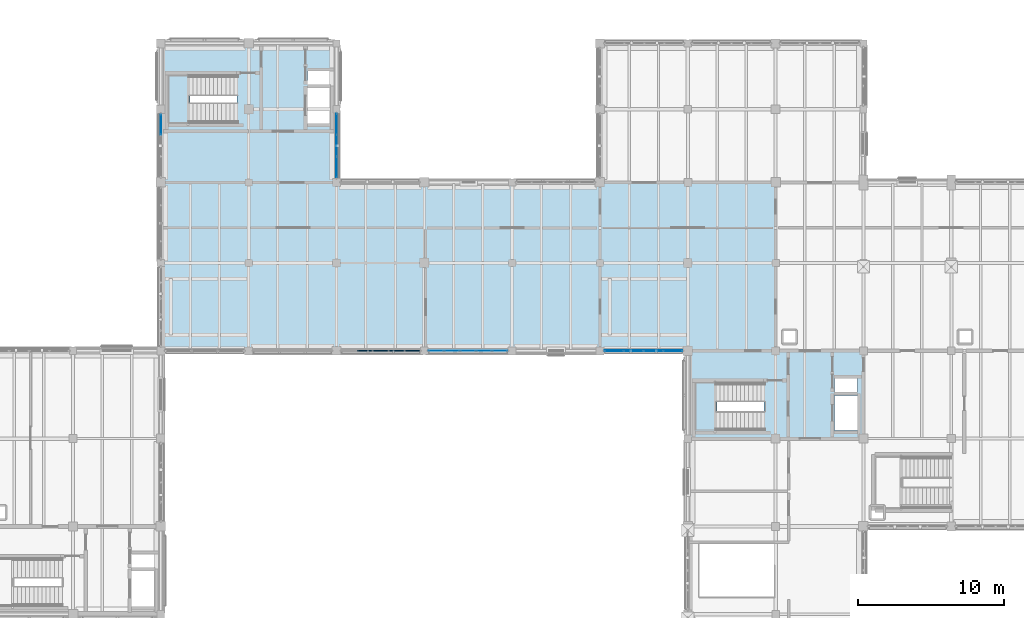
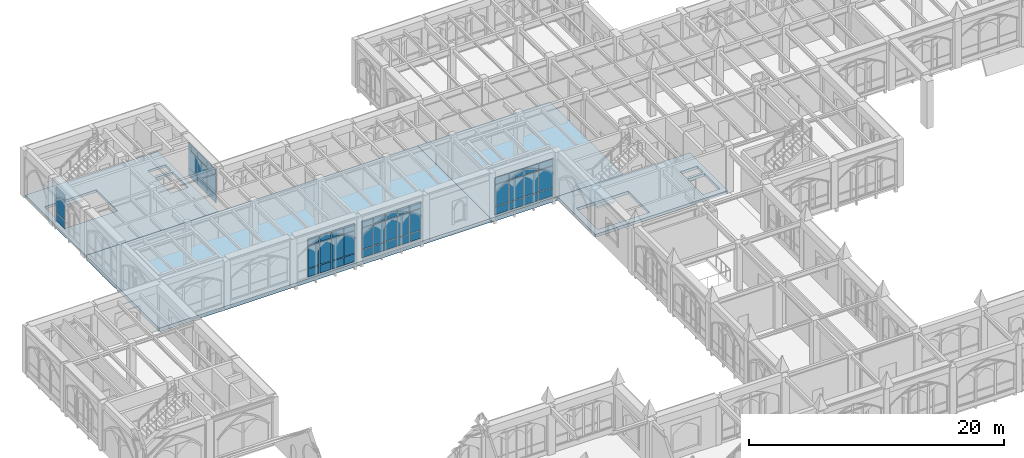
# One storey, part 89 of 143: 51 plates, 6 slabs, 7 elements without a shape of their own.
"""IFC4 building model written with IfcOpenShell, lengths in metres."""

from ifc_helpers import new_model, si_unit, direction, frame, origin, origin_2d, place, context, subcontext, project, spatial, polyline, rectangle, outline, extrude, material, layer, layer_set, type_object, element, aggregate, save


model = new_model("IFC4")

# Units and contexts
model_context = context("Model", 3, precision=1e-05, world=origin(), true_north=direction((0.0, 1.0)))
body_context = subcontext(model_context, "Body", "Model", "MODEL_VIEW")
ifc_project = project(units=[si_unit("LENGTHUNIT", "METRE"), si_unit("AREAUNIT", "SQUARE_METRE"), si_unit("VOLUMEUNIT", "CUBIC_METRE"), si_unit("PLANEANGLEUNIT", "RADIAN"), si_unit("MASSUNIT", "GRAM", prefix="KILO")], contexts=[model_context])

# Site, building, storey
site_placement = place(None, origin())
site = spatial("IfcSite", under=ifc_project, at=site_placement, CompositionType="ELEMENT")
building_placement = place(site_placement, origin())
building = spatial("IfcBuilding", under=site, at=building_placement, Name="Cumevento Cable Car Station", CompositionType="ELEMENT")
storey_placement = place(building_placement, frame((0.0, 0.0, 9.0)))
storey = spatial("IfcBuildingStorey", under=building, at=storey_placement, Name="L03", CompositionType="ELEMENT", Elevation=9.0)

# Slabs
ifc_material_1 = material(Name="Concrete C40/50", Category="concrete")
ifc_layer_1 = layer(ifc_material_1, 0.35009765625)
ifc_layer_set_1 = layer_set([ifc_layer_1], Name="Concrete C40/50")
slab_type_1 = type_object("IfcSlabType", Name="Concrete Deck BS-350 350", PredefinedType="BASESLAB", material=ifc_layer_set_1)
slab_1_placement = place(storey_placement, frame((0.0, 0.0, -0.35009765625)))
element("IfcSlab", 1, at=slab_1_placement, inside=storey, type_object=slab_type_1, Name="Base Slab BS-350 L03 B_V6c.1", PredefinedType="BASESLAB", context=body_context, shape_type="SweptSolid", body=[
    extrude(outline(polyline([(22.0, 45.0), (52.0, 45.0), (52.0, 56.5), (22.0, 56.5), (22.0, 45.0)])), origin(), (0.0, 0.0, 1.0), 0.35009765625),
])
ifc_material_2 = material(Name="Concrete C40/50", Category="concrete")
ifc_layer_2 = layer(ifc_material_2, 0.389892578125)
ifc_layer_set_2 = layer_set([ifc_layer_2], Name="Concrete C40/50")
slab_type_2 = type_object("IfcSlabType", Name="Concrete Deck BS-390 390", PredefinedType="BASESLAB", material=ifc_layer_set_2)
slab_2_placement = place(storey_placement, frame((0.0, 0.0, -0.389892578125)))
element("IfcSlab", 2, at=slab_2_placement, inside=storey, type_object=slab_type_2, Name="Base Slab BS-390 L03 B_V3d.1", PredefinedType="BASESLAB", context=body_context, shape_type="SweptSolid", body=[
    extrude(outline(polyline([(52.0, 45.0), (64.0, 45.0), (64.0, 56.5), (52.0, 56.5), (52.0, 45.0)])), origin(), (0.0, 0.0, 1.0), 0.389892578125),
])
ifc_material_3 = material(Name="Concrete C40/50", Category="concrete")
ifc_layer_3 = layer(ifc_material_3, 0.22412109375)
ifc_layer_set_3 = layer_set([ifc_layer_3], Name="Concrete C40/50")
slab_type_3 = type_object("IfcSlabType", Name="Concrete Deck FS-224 224", PredefinedType="FLOOR", material=ifc_layer_set_3)
slab_3_placement = place(storey_placement, frame((0.0, 0.0, -0.22412109375)))
element("IfcSlab", 3, at=slab_3_placement, inside=storey, type_object=slab_type_3, Name="Floor Slab FS-224 L03 B_V6d.1", PredefinedType="FLOOR", context=body_context, shape_type="SweptSolid", body=[
    extrude(outline(polyline([(22.0, 56.5), (34.0, 56.5), (34.0, 66.0), (22.0, 66.0), (22.0, 56.5)]), holes=[polyline([(32.010009765625, 60.5400390625), (33.580078125, 60.5400390625), (33.580078125, 62.9599609375), (32.010009765625, 62.9599609375), (32.010009765625, 60.5400390625)]), polyline([(22.52001953125, 60.52001953125), (27.199951171875, 60.52001953125), (27.199951171875, 63.85009765625), (22.52001953125, 63.85009765625), (22.52001953125, 60.52001953125)]), polyline([(32.010009765625, 63.199951171875), (33.580078125, 63.199951171875), (33.580078125, 64.10009765625), (32.010009765625, 64.10009765625), (32.010009765625, 63.199951171875)])]), origin(), (0.0, 0.0, 1.0), 0.22412109375),
])
ifc_material_4 = material(Name="Concrete C40/50", Category="concrete")
ifc_layer_4 = layer(ifc_material_4, 0.27197265625)
ifc_layer_set_4 = layer_set([ifc_layer_4], Name="Concrete C40/50")
slab_type_4 = type_object("IfcSlabType", Name="Concrete Deck FS-272 272", PredefinedType="FLOOR", material=ifc_layer_set_4)
slab_4_placement = place(storey_placement, frame((0.0, 0.0, -0.27197265625)))
element("IfcSlab", 4, at=slab_4_placement, inside=storey, type_object=slab_type_4, Name="Floor Slab FS-272 L03 B_V2c.1", PredefinedType="FLOOR", context=body_context, shape_type="SweptSolid", body=[
    extrude(outline(polyline([(58.0, 39.0), (70.0, 39.0), (70.0, 45.0), (58.0, 45.0), (58.0, 39.0)]), holes=[polyline([(68.010009765625, 39.5400390625), (69.580078125, 39.5400390625), (69.580078125, 41.9599609375), (68.010009765625, 41.9599609375), (68.010009765625, 39.5400390625)]), polyline([(58.52001953125, 39.52001953125), (63.199951171875, 39.52001953125), (63.199951171875, 42.85009765625), (58.52001953125, 42.85009765625), (58.52001953125, 39.52001953125)]), polyline([(68.010009765625, 42.199951171875), (69.580078125, 42.199951171875), (69.580078125, 43.10009765625), (68.010009765625, 43.10009765625), (68.010009765625, 42.199951171875)])]), origin(), (0.0, 0.0, 1.0), 0.27197265625),
])

# Curtain wall, plates
ifc_material_5 = material(Name="Anodised Bronze Aluminium AW-6063-T6", Category="aluminium")
ifc_layer_5 = layer(ifc_material_5, 0.172119140625)
ifc_layer_set_5 = layer_set([ifc_layer_5], Name="Anodised Bronze Aluminium AW-6063-T6")
curtain_wall_type_1 = type_object("IfcCurtainWallType", Name="Lancet Curtain Wall CW-03 1130", PredefinedType="NOTDEFINED", material=ifc_layer_set_5)
curtain_wall_1_placement = place(storey_placement, origin())
curtain_wall_1 = element("IfcCurtainWall", 5, at=curtain_wall_1_placement, inside=storey, type_object=curtain_wall_type_1, Name="Lancet Curtain Wall CW-03 L03 #98", PredefinedType="NOTDEFINED")
ifc_material_6 = material(Name="Solar Control Laminated Double Glazing", Category="glass")
ifc_layer_6 = layer(ifc_material_6, 0.02197265625)
ifc_layer_set_6 = layer_set([ifc_layer_6], Name="Solar Control Laminated Double Glazing")
plate_type_1 = type_object("IfcPlateType", Name="Glazed Panel CWP-01 22", PredefinedType="CURTAIN_PANEL", material=ifc_layer_set_6)
plate_1_placement = place(storey_placement, frame((45.1611328125, 45.0, 0.324951171875), z_axis=(0.0, 0.0, 1.0), x_axis=(-1.0, 0.0, 0.0)))
plate_1 = element("IfcPlate", 6, at=plate_1_placement, type_object=plate_type_1, Name="CW-03 panel 1.1", PredefinedType="CURTAIN_PANEL", context=body_context, shape_type="SweptSolid", body=[
    extrude(rectangle(XDim=0.99755859375, YDim=0.02197265625, at=origin_2d()), origin(), (0.0, 0.0, 1.0), 0.75244140625),
])
plate_2_placement = place(storey_placement, frame((45.1611328125, 45.0, 1.142578125), z_axis=(0.0, 0.0, 1.0), x_axis=(-1.0, 0.0, 0.0)))
plate_2 = element("IfcPlate", 7, at=plate_2_placement, type_object=plate_type_1, Name="CW-03 panel 1.2", PredefinedType="CURTAIN_PANEL", context=body_context, shape_type="SweptSolid", body=[
    extrude(rectangle(XDim=0.99755859375, YDim=0.02197265625, at=origin_2d()), origin(), (0.0, 0.0, 1.0), 2.01806640625),
])
plate_3_placement = place(storey_placement, frame((45.1611328125, 45.0, 3.2255859375), z_axis=(0.0, 0.0, 1.0), x_axis=(-1.0, 0.0, 0.0)))
plate_3 = element("IfcPlate", 8, at=plate_3_placement, type_object=plate_type_1, Name="CW-03 panel 1.3", PredefinedType="CURTAIN_PANEL", context=body_context, shape_type="SweptSolid", body=[
    extrude(rectangle(XDim=0.99755859375, YDim=0.02197265625, at=origin_2d()), origin(), (0.0, 0.0, 1.0), 0.6025390625),
])
plate_4_placement = place(storey_placement, frame((44.08251953125, 45.0, 0.324951171875), z_axis=(0.0, 0.0, 1.0), x_axis=(-1.0, 0.0, 0.0)))
plate_4 = element("IfcPlate", 9, at=plate_4_placement, type_object=plate_type_1, Name="CW-03 panel 2.1", PredefinedType="CURTAIN_PANEL", context=body_context, shape_type="SweptSolid", body=[
    extrude(rectangle(XDim=1.030029296875, YDim=0.02197265625, at=origin_2d()), origin(), (0.0, 0.0, 1.0), 0.75244140625),
])
plate_5_placement = place(storey_placement, frame((44.08251953125, 45.0, 1.142578125), z_axis=(0.0, 0.0, 1.0), x_axis=(-1.0, 0.0, 0.0)))
plate_5 = element("IfcPlate", 10, at=plate_5_placement, type_object=plate_type_1, Name="CW-03 panel 2.2", PredefinedType="CURTAIN_PANEL", context=body_context, shape_type="SweptSolid", body=[
    extrude(rectangle(XDim=1.030029296875, YDim=0.02197265625, at=origin_2d()), origin(), (0.0, 0.0, 1.0), 2.01806640625),
])
plate_6_placement = place(storey_placement, frame((44.08251953125, 45.0, 3.2255859375), z_axis=(0.0, 0.0, 1.0), x_axis=(-1.0, 0.0, 0.0)))
plate_6 = element("IfcPlate", 11, at=plate_6_placement, type_object=plate_type_1, Name="CW-03 panel 2.3", PredefinedType="CURTAIN_PANEL", context=body_context, shape_type="SweptSolid", body=[
    extrude(rectangle(XDim=1.030029296875, YDim=0.02197265625, at=origin_2d()), origin(), (0.0, 0.0, 1.0), 0.6025390625),
])
plate_7_placement = place(storey_placement, frame((42.987548828125, 45.0, 0.324951171875), z_axis=(0.0, 0.0, 1.0), x_axis=(-1.0, 0.0, 0.0)))
plate_7 = element("IfcPlate", 12, at=plate_7_placement, type_object=plate_type_1, Name="CW-03 panel 3.1", PredefinedType="CURTAIN_PANEL", context=body_context, shape_type="SweptSolid", body=[
    extrude(rectangle(XDim=1.030029296875, YDim=0.02197265625, at=origin_2d()), origin(), (0.0, 0.0, 1.0), 0.75244140625),
])
plate_8_placement = place(storey_placement, frame((42.987548828125, 45.0, 1.142578125), z_axis=(0.0, 0.0, 1.0), x_axis=(-1.0, 0.0, 0.0)))
plate_8 = element("IfcPlate", 13, at=plate_8_placement, type_object=plate_type_1, Name="CW-03 panel 3.2", PredefinedType="CURTAIN_PANEL", context=body_context, shape_type="SweptSolid", body=[
    extrude(rectangle(XDim=1.030029296875, YDim=0.02197265625, at=origin_2d()), origin(), (0.0, 0.0, 1.0), 2.01806640625),
])
plate_9_placement = place(storey_placement, frame((42.987548828125, 45.0, 3.2255859375), z_axis=(0.0, 0.0, 1.0), x_axis=(-1.0, 0.0, 0.0)))
plate_9 = element("IfcPlate", 14, at=plate_9_placement, type_object=plate_type_1, Name="CW-03 panel 3.3", PredefinedType="CURTAIN_PANEL", context=body_context, shape_type="SweptSolid", body=[
    extrude(rectangle(XDim=1.030029296875, YDim=0.02197265625, at=origin_2d()), origin(), (0.0, 0.0, 1.0), 0.6025390625),
])
plate_10_placement = place(storey_placement, frame((41.892578125, 45.0, 0.324951171875), z_axis=(0.0, 0.0, 1.0), x_axis=(-1.0, 0.0, 0.0)))
plate_10 = element("IfcPlate", 15, at=plate_10_placement, type_object=plate_type_1, Name="CW-03 panel 4.1", PredefinedType="CURTAIN_PANEL", context=body_context, shape_type="SweptSolid", body=[
    extrude(rectangle(XDim=1.030029296875, YDim=0.02197265625, at=origin_2d()), origin(), (0.0, 0.0, 1.0), 0.75244140625),
])
plate_11_placement = place(storey_placement, frame((41.892578125, 45.0, 1.142578125), z_axis=(0.0, 0.0, 1.0), x_axis=(-1.0, 0.0, 0.0)))
plate_11 = element("IfcPlate", 16, at=plate_11_placement, type_object=plate_type_1, Name="CW-03 panel 4.2", PredefinedType="CURTAIN_PANEL", context=body_context, shape_type="SweptSolid", body=[
    extrude(rectangle(XDim=1.030029296875, YDim=0.02197265625, at=origin_2d()), origin(), (0.0, 0.0, 1.0), 2.01806640625),
])
plate_12_placement = place(storey_placement, frame((41.892578125, 45.0, 3.2255859375), z_axis=(0.0, 0.0, 1.0), x_axis=(-1.0, 0.0, 0.0)))
plate_12 = element("IfcPlate", 17, at=plate_12_placement, type_object=plate_type_1, Name="CW-03 panel 4.3", PredefinedType="CURTAIN_PANEL", context=body_context, shape_type="SweptSolid", body=[
    extrude(rectangle(XDim=1.030029296875, YDim=0.02197265625, at=origin_2d()), origin(), (0.0, 0.0, 1.0), 0.6025390625),
])
plate_13_placement = place(storey_placement, frame((40.813720703125, 45.0, 0.324951171875), z_axis=(0.0, 0.0, 1.0), x_axis=(-1.0, 0.0, 0.0)))
plate_13 = element("IfcPlate", 18, at=plate_13_placement, type_object=plate_type_1, Name="CW-03 panel 5.1", PredefinedType="CURTAIN_PANEL", context=body_context, shape_type="SweptSolid", body=[
    extrude(rectangle(XDim=0.99755859375, YDim=0.02197265625, at=origin_2d()), origin(), (0.0, 0.0, 1.0), 0.75244140625),
])
plate_14_placement = place(storey_placement, frame((40.813720703125, 45.0, 1.142578125), z_axis=(0.0, 0.0, 1.0), x_axis=(-1.0, 0.0, 0.0)))
plate_14 = element("IfcPlate", 19, at=plate_14_placement, type_object=plate_type_1, Name="CW-03 panel 5.2", PredefinedType="CURTAIN_PANEL", context=body_context, shape_type="SweptSolid", body=[
    extrude(rectangle(XDim=0.99755859375, YDim=0.02197265625, at=origin_2d()), origin(), (0.0, 0.0, 1.0), 2.01806640625),
])
plate_15_placement = place(storey_placement, frame((40.813720703125, 45.0, 3.2255859375), z_axis=(0.0, 0.0, 1.0), x_axis=(-1.0, 0.0, 0.0)))
plate_15 = element("IfcPlate", 20, at=plate_15_placement, type_object=plate_type_1, Name="CW-03 panel 5.3", PredefinedType="CURTAIN_PANEL", context=body_context, shape_type="SweptSolid", body=[
    extrude(rectangle(XDim=0.99755859375, YDim=0.02197265625, at=origin_2d()), origin(), (0.0, 0.0, 1.0), 0.6025390625),
])
aggregate(curtain_wall_1, [plate_1, plate_2, plate_3, plate_4, plate_5, plate_6, plate_7, plate_8, plate_9, plate_10, plate_11, plate_12, plate_13, plate_14, plate_15])

ifc_material_7 = material(Name="Anodised Bronze Aluminium AW-6063-T6", Category="aluminium")
ifc_layer_7 = layer(ifc_material_7, 0.196044921875)
ifc_layer_set_7 = layer_set([ifc_layer_7], Name="Anodised Bronze Aluminium AW-6063-T6")
curtain_wall_type_2 = type_object("IfcCurtainWallType", Name="Lancet Curtain Wall CW-07 1290", PredefinedType="NOTDEFINED", material=ifc_layer_set_7)
curtain_wall_2_placement = place(storey_placement, origin())
curtain_wall_2 = element("IfcCurtainWall", 21, at=curtain_wall_2_placement, inside=storey, type_object=curtain_wall_type_2, Name="Lancet Curtain Wall CW-07 L03 #102", PredefinedType="NOTDEFINED")
ifc_material_8 = material(Name="Solar Control Laminated Double Glazing", Category="glass")
ifc_layer_8 = layer(ifc_material_8, 0.0380859375)
ifc_layer_set_8 = layer_set([ifc_layer_8], Name="Solar Control Laminated Double Glazing")
plate_type_2 = type_object("IfcPlateType", Name="Glazed Panel CWP-05 38", PredefinedType="CURTAIN_PANEL", material=ifc_layer_set_8)
plate_16_placement = place(storey_placement, frame((22.0, 60.45458984375, 0.525146484375), z_axis=(0.0, 0.0, 1.0), x_axis=(0.0, 1.0, 0.0)))
plate_16 = element("IfcPlate", 22, at=plate_16_placement, type_object=plate_type_2, Name="CW-07 panel 3.1", PredefinedType="CURTAIN_PANEL", context=body_context, shape_type="SweptSolid", body=[
    extrude(rectangle(XDim=1.36083984375, YDim=0.0380859375, at=origin_2d()), origin(), (0.0, 0.0, 1.0), 0.75244140625),
])
plate_17_placement = place(storey_placement, frame((22.0, 60.45458984375, 1.34228515625), z_axis=(0.0, 0.0, 1.0), x_axis=(0.0, 1.0, 0.0)))
plate_17 = element("IfcPlate", 23, at=plate_17_placement, type_object=plate_type_2, Name="CW-07 panel 3.2", PredefinedType="CURTAIN_PANEL", context=body_context, shape_type="SweptSolid", body=[
    extrude(rectangle(XDim=1.36083984375, YDim=0.0380859375, at=origin_2d()), origin(), (0.0, 0.0, 1.0), 1.781982421875),
])
plate_18_placement = place(storey_placement, frame((22.0, 60.45458984375, 3.189453125), z_axis=(0.0, 0.0, 1.0), x_axis=(0.0, 1.0, 0.0)))
plate_18 = element("IfcPlate", 24, at=plate_18_placement, type_object=plate_type_2, Name="CW-07 panel 3.3", PredefinedType="CURTAIN_PANEL", context=body_context, shape_type="SweptSolid", body=[
    extrude(rectangle(XDim=1.36083984375, YDim=0.0380859375, at=origin_2d()), origin(), (0.0, 0.0, 1.0), 0.6025390625),
])
aggregate(curtain_wall_2, [plate_16, plate_17, plate_18])

ifc_material_9 = material(Name="Anodised Bronze Aluminium AW-6063-T6", Category="aluminium")
ifc_layer_9 = layer(ifc_material_9, 0.201904296875)
ifc_layer_set_9 = layer_set([ifc_layer_9], Name="Anodised Bronze Aluminium AW-6063-T6")
curtain_wall_type_3 = type_object("IfcCurtainWallType", Name="Lancet Curtain Wall CW-08 1330", PredefinedType="NOTDEFINED", material=ifc_layer_set_9)
curtain_wall_3_placement = place(storey_placement, origin())
curtain_wall_3 = element("IfcCurtainWall", 25, at=curtain_wall_3_placement, inside=storey, type_object=curtain_wall_type_3, Name="Lancet Curtain Wall CW-08 L03 #103", PredefinedType="NOTDEFINED")
ifc_material_10 = material(Name="Solar Control Laminated Double Glazing", Category="glass")
ifc_layer_10 = layer(ifc_material_10, 0.0419921875)
ifc_layer_set_10 = layer_set([ifc_layer_10], Name="Solar Control Laminated Double Glazing")
plate_type_3 = type_object("IfcPlateType", Name="Glazed Panel CWP-06 42", PredefinedType="CURTAIN_PANEL", material=ifc_layer_set_10)
plate_19_placement = place(storey_placement, frame((34.0, 60.488037109375, 0.5849609375), z_axis=(0.0, 0.0, 1.0), x_axis=(0.0, -1.0, 0.0)))
plate_19 = element("IfcPlate", 26, at=plate_19_placement, type_object=plate_type_3, Name="CW-08 panel 1.1", PredefinedType="CURTAIN_PANEL", context=body_context, shape_type="SweptSolid", body=[
    extrude(rectangle(XDim=1.394287109375, YDim=0.0419921875, at=origin_2d()), origin(), (0.0, 0.0, 1.0), 0.75244140625),
])
plate_20_placement = place(storey_placement, frame((34.0, 60.488037109375, 1.40234375), z_axis=(0.0, 0.0, 1.0), x_axis=(0.0, -1.0, 0.0)))
plate_20 = element("IfcPlate", 27, at=plate_20_placement, type_object=plate_type_3, Name="CW-08 panel 1.2", PredefinedType="CURTAIN_PANEL", context=body_context, shape_type="SweptSolid", body=[
    extrude(rectangle(XDim=1.394287109375, YDim=0.0419921875, at=origin_2d()), origin(), (0.0, 0.0, 1.0), 1.721923828125),
])
plate_21_placement = place(storey_placement, frame((34.0, 60.488037109375, 3.189453125), z_axis=(0.0, 0.0, 1.0), x_axis=(0.0, -1.0, 0.0)))
plate_21 = element("IfcPlate", 28, at=plate_21_placement, type_object=plate_type_3, Name="CW-08 panel 1.3", PredefinedType="CURTAIN_PANEL", context=body_context, shape_type="SweptSolid", body=[
    extrude(rectangle(XDim=1.394287109375, YDim=0.0419921875, at=origin_2d()), origin(), (0.0, 0.0, 1.0), 0.6025390625),
])
plate_22_placement = place(storey_placement, frame((34.0, 59.012451171875, 0.5849609375), z_axis=(0.0, 0.0, 1.0), x_axis=(0.0, -1.0, 0.0)))
plate_22 = element("IfcPlate", 29, at=plate_22_placement, type_object=plate_type_3, Name="CW-08 panel 2.1", PredefinedType="CURTAIN_PANEL", context=body_context, shape_type="SweptSolid", body=[
    extrude(rectangle(XDim=1.4267578125, YDim=0.0419921875, at=origin_2d()), origin(), (0.0, 0.0, 1.0), 0.75244140625),
])
plate_23_placement = place(storey_placement, frame((34.0, 59.012451171875, 1.40234375), z_axis=(0.0, 0.0, 1.0), x_axis=(0.0, -1.0, 0.0)))
plate_23 = element("IfcPlate", 30, at=plate_23_placement, type_object=plate_type_3, Name="CW-08 panel 2.2", PredefinedType="CURTAIN_PANEL", context=body_context, shape_type="SweptSolid", body=[
    extrude(rectangle(XDim=1.4267578125, YDim=0.0419921875, at=origin_2d()), origin(), (0.0, 0.0, 1.0), 1.721923828125),
])
plate_24_placement = place(storey_placement, frame((34.0, 59.012451171875, 3.189453125), z_axis=(0.0, 0.0, 1.0), x_axis=(0.0, -1.0, 0.0)))
plate_24 = element("IfcPlate", 31, at=plate_24_placement, type_object=plate_type_3, Name="CW-08 panel 2.3", PredefinedType="CURTAIN_PANEL", context=body_context, shape_type="SweptSolid", body=[
    extrude(rectangle(XDim=1.4267578125, YDim=0.0419921875, at=origin_2d()), origin(), (0.0, 0.0, 1.0), 0.6025390625),
])
plate_25_placement = place(storey_placement, frame((34.0, 57.537109375, 0.5849609375), z_axis=(0.0, 0.0, 1.0), x_axis=(0.0, -1.0, 0.0)))
plate_25 = element("IfcPlate", 32, at=plate_25_placement, type_object=plate_type_3, Name="CW-08 panel 3.1", PredefinedType="CURTAIN_PANEL", context=body_context, shape_type="SweptSolid", body=[
    extrude(rectangle(XDim=1.394287109375, YDim=0.0419921875, at=origin_2d()), origin(), (0.0, 0.0, 1.0), 0.75244140625),
])
plate_26_placement = place(storey_placement, frame((34.0, 57.537109375, 1.40234375), z_axis=(0.0, 0.0, 1.0), x_axis=(0.0, -1.0, 0.0)))
plate_26 = element("IfcPlate", 33, at=plate_26_placement, type_object=plate_type_3, Name="CW-08 panel 3.2", PredefinedType="CURTAIN_PANEL", context=body_context, shape_type="SweptSolid", body=[
    extrude(rectangle(XDim=1.394287109375, YDim=0.0419921875, at=origin_2d()), origin(), (0.0, 0.0, 1.0), 1.721923828125),
])
plate_27_placement = place(storey_placement, frame((34.0, 57.537109375, 3.189453125), z_axis=(0.0, 0.0, 1.0), x_axis=(0.0, -1.0, 0.0)))
plate_27 = element("IfcPlate", 34, at=plate_27_placement, type_object=plate_type_3, Name="CW-08 panel 3.3", PredefinedType="CURTAIN_PANEL", context=body_context, shape_type="SweptSolid", body=[
    extrude(rectangle(XDim=1.394287109375, YDim=0.0419921875, at=origin_2d()), origin(), (0.0, 0.0, 1.0), 0.6025390625),
])
aggregate(curtain_wall_3, [plate_19, plate_20, plate_21, plate_22, plate_23, plate_24, plate_25, plate_26, plate_27])

ifc_material_11 = material(Name="Anodised Bronze Aluminium AW-6063-T6", Category="aluminium")
ifc_layer_11 = layer(ifc_material_11, 0.2080078125)
ifc_layer_set_11 = layer_set([ifc_layer_11], Name="Anodised Bronze Aluminium AW-6063-T6")
curtain_wall_type_4 = type_object("IfcCurtainWallType", Name="Lancet Curtain Wall CW-09 1370", PredefinedType="NOTDEFINED", material=ifc_layer_set_11)
curtain_wall_4_placement = place(storey_placement, origin())
curtain_wall_4 = element("IfcCurtainWall", 35, at=curtain_wall_4_placement, inside=storey, type_object=curtain_wall_type_4, Name="Lancet Curtain Wall CW-09 L03 #104", PredefinedType="NOTDEFINED")
ifc_material_12 = material(Name="Solar Control Laminated Double Glazing", Category="glass")
ifc_layer_12 = layer(ifc_material_12, 0.0458984375)
ifc_layer_set_12 = layer_set([ifc_layer_12], Name="Solar Control Laminated Double Glazing")
plate_type_4 = type_object("IfcPlateType", Name="Glazed Panel CWP-07 46", PredefinedType="CURTAIN_PANEL", material=ifc_layer_set_12)
plate_28_placement = place(storey_placement, frame((56.983642578125, 45.0, 0.22509765625), z_axis=(0.0, 0.0, 1.0), x_axis=(-1.0, 0.0, 0.0)))
plate_28 = element("IfcPlate", 36, at=plate_28_placement, type_object=plate_type_4, Name="CW-09 panel 1.1", PredefinedType="CURTAIN_PANEL", context=body_context, shape_type="SweptSolid", body=[
    extrude(rectangle(XDim=1.25244140625, YDim=0.0458984375, at=origin_2d()), origin(), (0.0, 0.0, 1.0), 0.75244140625),
])
plate_29_placement = place(storey_placement, frame((56.983642578125, 45.0, 1.04248046875), z_axis=(0.0, 0.0, 1.0), x_axis=(-1.0, 0.0, 0.0)))
plate_29 = element("IfcPlate", 37, at=plate_29_placement, type_object=plate_type_4, Name="CW-09 panel 1.2", PredefinedType="CURTAIN_PANEL", context=body_context, shape_type="SweptSolid", body=[
    extrude(rectangle(XDim=1.25244140625, YDim=0.0458984375, at=origin_2d()), origin(), (0.0, 0.0, 1.0), 2.033935546875),
])
plate_30_placement = place(storey_placement, frame((56.983642578125, 45.0, 3.1416015625), z_axis=(0.0, 0.0, 1.0), x_axis=(-1.0, 0.0, 0.0)))
plate_30 = element("IfcPlate", 38, at=plate_30_placement, type_object=plate_type_4, Name="CW-09 panel 1.3", PredefinedType="CURTAIN_PANEL", context=body_context, shape_type="SweptSolid", body=[
    extrude(rectangle(XDim=1.25244140625, YDim=0.0458984375, at=origin_2d()), origin(), (0.0, 0.0, 1.0), 0.6025390625),
])
plate_31_placement = place(storey_placement, frame((55.64990234375, 45.0, 0.22509765625), z_axis=(0.0, 0.0, 1.0), x_axis=(-1.0, 0.0, 0.0)))
plate_31 = element("IfcPlate", 39, at=plate_31_placement, type_object=plate_type_4, Name="CW-09 panel 2.1", PredefinedType="CURTAIN_PANEL", context=body_context, shape_type="SweptSolid", body=[
    extrude(rectangle(XDim=1.284912109375, YDim=0.0458984375, at=origin_2d()), origin(), (0.0, 0.0, 1.0), 0.75244140625),
])
plate_32_placement = place(storey_placement, frame((55.64990234375, 45.0, 1.04248046875), z_axis=(0.0, 0.0, 1.0), x_axis=(-1.0, 0.0, 0.0)))
plate_32 = element("IfcPlate", 40, at=plate_32_placement, type_object=plate_type_4, Name="CW-09 panel 2.2", PredefinedType="CURTAIN_PANEL", context=body_context, shape_type="SweptSolid", body=[
    extrude(rectangle(XDim=1.284912109375, YDim=0.0458984375, at=origin_2d()), origin(), (0.0, 0.0, 1.0), 2.033935546875),
])
plate_33_placement = place(storey_placement, frame((55.64990234375, 45.0, 3.1416015625), z_axis=(0.0, 0.0, 1.0), x_axis=(-1.0, 0.0, 0.0)))
plate_33 = element("IfcPlate", 41, at=plate_33_placement, type_object=plate_type_4, Name="CW-09 panel 2.3", PredefinedType="CURTAIN_PANEL", context=body_context, shape_type="SweptSolid", body=[
    extrude(rectangle(XDim=1.284912109375, YDim=0.0458984375, at=origin_2d()), origin(), (0.0, 0.0, 1.0), 0.6025390625),
])
plate_34_placement = place(storey_placement, frame((54.300048828125, 45.0, 0.22509765625), z_axis=(0.0, 0.0, 1.0), x_axis=(-1.0, 0.0, 0.0)))
plate_34 = element("IfcPlate", 42, at=plate_34_placement, type_object=plate_type_4, Name="CW-09 panel 3.1", PredefinedType="CURTAIN_PANEL", context=body_context, shape_type="SweptSolid", body=[
    extrude(rectangle(XDim=1.284912109375, YDim=0.0458984375, at=origin_2d()), origin(), (0.0, 0.0, 1.0), 0.75244140625),
])
plate_35_placement = place(storey_placement, frame((54.300048828125, 45.0, 1.04248046875), z_axis=(0.0, 0.0, 1.0), x_axis=(-1.0, 0.0, 0.0)))
plate_35 = element("IfcPlate", 43, at=plate_35_placement, type_object=plate_type_4, Name="CW-09 panel 3.2", PredefinedType="CURTAIN_PANEL", context=body_context, shape_type="SweptSolid", body=[
    extrude(rectangle(XDim=1.284912109375, YDim=0.0458984375, at=origin_2d()), origin(), (0.0, 0.0, 1.0), 2.033935546875),
])
plate_36_placement = place(storey_placement, frame((54.300048828125, 45.0, 3.1416015625), z_axis=(0.0, 0.0, 1.0), x_axis=(-1.0, 0.0, 0.0)))
plate_36 = element("IfcPlate", 44, at=plate_36_placement, type_object=plate_type_4, Name="CW-09 panel 3.3", PredefinedType="CURTAIN_PANEL", context=body_context, shape_type="SweptSolid", body=[
    extrude(rectangle(XDim=1.284912109375, YDim=0.0458984375, at=origin_2d()), origin(), (0.0, 0.0, 1.0), 0.6025390625),
])
plate_37_placement = place(storey_placement, frame((52.96630859375, 45.0, 0.22509765625), z_axis=(0.0, 0.0, 1.0), x_axis=(-1.0, 0.0, 0.0)))
plate_37 = element("IfcPlate", 45, at=plate_37_placement, type_object=plate_type_4, Name="CW-09 panel 4.1", PredefinedType="CURTAIN_PANEL", context=body_context, shape_type="SweptSolid", body=[
    extrude(rectangle(XDim=1.25244140625, YDim=0.0458984375, at=origin_2d()), origin(), (0.0, 0.0, 1.0), 0.75244140625),
])
plate_38_placement = place(storey_placement, frame((52.96630859375, 45.0, 1.04248046875), z_axis=(0.0, 0.0, 1.0), x_axis=(-1.0, 0.0, 0.0)))
plate_38 = element("IfcPlate", 46, at=plate_38_placement, type_object=plate_type_4, Name="CW-09 panel 4.2", PredefinedType="CURTAIN_PANEL", context=body_context, shape_type="SweptSolid", body=[
    extrude(rectangle(XDim=1.25244140625, YDim=0.0458984375, at=origin_2d()), origin(), (0.0, 0.0, 1.0), 2.033935546875),
])
plate_39_placement = place(storey_placement, frame((52.96630859375, 45.0, 3.1416015625), z_axis=(0.0, 0.0, 1.0), x_axis=(-1.0, 0.0, 0.0)))
plate_39 = element("IfcPlate", 47, at=plate_39_placement, type_object=plate_type_4, Name="CW-09 panel 4.3", PredefinedType="CURTAIN_PANEL", context=body_context, shape_type="SweptSolid", body=[
    extrude(rectangle(XDim=1.25244140625, YDim=0.0458984375, at=origin_2d()), origin(), (0.0, 0.0, 1.0), 0.6025390625),
])
aggregate(curtain_wall_4, [plate_28, plate_29, plate_30, plate_31, plate_32, plate_33, plate_34, plate_35, plate_36, plate_37, plate_38, plate_39])

ifc_material_13 = material(Name="Anodised Bronze Aluminium AW-6063-T6", Category="aluminium")
ifc_layer_13 = layer(ifc_material_13, 0.159912109375)
ifc_layer_set_13 = layer_set([ifc_layer_13], Name="Anodised Bronze Aluminium AW-6063-T6")
curtain_wall_type_5 = type_object("IfcCurtainWallType", Name="Lancet Curtain Wall CW-01 1050", PredefinedType="NOTDEFINED", material=ifc_layer_set_13)
curtain_wall_5_placement = place(storey_placement, origin())
curtain_wall_5 = element("IfcCurtainWall", 48, at=curtain_wall_5_placement, inside=storey, type_object=curtain_wall_type_5, Name="Lancet Curtain Wall CW-01 L03 #96", PredefinedType="NOTDEFINED")
ifc_material_14 = material(Name="Insulated Bronze Aluminium Spandrel Panel", Category="aluminium")
ifc_layer_14 = layer(ifc_material_14, 0.077880859375)
ifc_layer_set_14 = layer_set([ifc_layer_14], Name="Insulated Bronze Aluminium Spandrel Panel")
plate_type_5 = type_object("IfcPlateType", Name="Spandrel Panel CWP-13 78", PredefinedType="CURTAIN_PANEL", material=ifc_layer_set_14)
plate_40_placement = place(storey_placement, frame((39.188720703125, 45.0, 0.22509765625), z_axis=(0.0, 0.0, 1.0), x_axis=(-1.0, 0.0, 0.0)))
plate_40 = element("IfcPlate", 49, at=plate_40_placement, type_object=plate_type_5, Name="CW-01 panel 1.1", PredefinedType="CURTAIN_PANEL", context=body_context, shape_type="SweptSolid", body=[
    extrude(rectangle(XDim=0.992431640625, YDim=0.077880859375, at=origin_2d()), origin(), (0.0, 0.0, 1.0), 0.75244140625),
])
plate_41_placement = place(storey_placement, frame((39.188720703125, 45.0, 1.04248046875), z_axis=(0.0, 0.0, 1.0), x_axis=(-1.0, 0.0, 0.0)))
plate_41 = element("IfcPlate", 50, at=plate_41_placement, type_object=plate_type_5, Name="CW-01 panel 1.2", PredefinedType="CURTAIN_PANEL", context=body_context, shape_type="SweptSolid", body=[
    extrude(rectangle(XDim=0.992431640625, YDim=0.077880859375, at=origin_2d()), origin(), (0.0, 0.0, 1.0), 2.117919921875),
])
plate_42_placement = place(storey_placement, frame((39.188720703125, 45.0, 3.2255859375), z_axis=(0.0, 0.0, 1.0), x_axis=(-1.0, 0.0, 0.0)))
plate_42 = element("IfcPlate", 51, at=plate_42_placement, type_object=plate_type_5, Name="CW-01 panel 1.3", PredefinedType="CURTAIN_PANEL", context=body_context, shape_type="SweptSolid", body=[
    extrude(rectangle(XDim=0.992431640625, YDim=0.077880859375, at=origin_2d()), origin(), (0.0, 0.0, 1.0), 0.6025390625),
])
plate_43_placement = place(storey_placement, frame((38.114990234375, 45.0, 0.22509765625), z_axis=(0.0, 0.0, 1.0), x_axis=(-1.0, 0.0, 0.0)))
plate_43 = element("IfcPlate", 52, at=plate_43_placement, type_object=plate_type_5, Name="CW-01 panel 2.1", PredefinedType="CURTAIN_PANEL", context=body_context, shape_type="SweptSolid", body=[
    extrude(rectangle(XDim=1.02490234375, YDim=0.077880859375, at=origin_2d()), origin(), (0.0, 0.0, 1.0), 0.75244140625),
])
plate_44_placement = place(storey_placement, frame((38.114990234375, 45.0, 1.04248046875), z_axis=(0.0, 0.0, 1.0), x_axis=(-1.0, 0.0, 0.0)))
plate_44 = element("IfcPlate", 53, at=plate_44_placement, type_object=plate_type_5, Name="CW-01 panel 2.2", PredefinedType="CURTAIN_PANEL", context=body_context, shape_type="SweptSolid", body=[
    extrude(rectangle(XDim=1.02490234375, YDim=0.077880859375, at=origin_2d()), origin(), (0.0, 0.0, 1.0), 2.117919921875),
])
plate_45_placement = place(storey_placement, frame((38.114990234375, 45.0, 3.2255859375), z_axis=(0.0, 0.0, 1.0), x_axis=(-1.0, 0.0, 0.0)))
plate_45 = element("IfcPlate", 54, at=plate_45_placement, type_object=plate_type_5, Name="CW-01 panel 2.3", PredefinedType="CURTAIN_PANEL", context=body_context, shape_type="SweptSolid", body=[
    extrude(rectangle(XDim=1.02490234375, YDim=0.077880859375, at=origin_2d()), origin(), (0.0, 0.0, 1.0), 0.6025390625),
])
plate_46_placement = place(storey_placement, frame((37.02490234375, 45.0, 0.22509765625), z_axis=(0.0, 0.0, 1.0), x_axis=(-1.0, 0.0, 0.0)))
plate_46 = element("IfcPlate", 55, at=plate_46_placement, type_object=plate_type_5, Name="CW-01 panel 3.1", PredefinedType="CURTAIN_PANEL", context=body_context, shape_type="SweptSolid", body=[
    extrude(rectangle(XDim=1.02490234375, YDim=0.077880859375, at=origin_2d()), origin(), (0.0, 0.0, 1.0), 0.75244140625),
])
plate_47_placement = place(storey_placement, frame((37.02490234375, 45.0, 1.04248046875), z_axis=(0.0, 0.0, 1.0), x_axis=(-1.0, 0.0, 0.0)))
plate_47 = element("IfcPlate", 56, at=plate_47_placement, type_object=plate_type_5, Name="CW-01 panel 3.2", PredefinedType="CURTAIN_PANEL", context=body_context, shape_type="SweptSolid", body=[
    extrude(rectangle(XDim=1.02490234375, YDim=0.077880859375, at=origin_2d()), origin(), (0.0, 0.0, 1.0), 2.117919921875),
])
plate_48_placement = place(storey_placement, frame((37.02490234375, 45.0, 3.2255859375), z_axis=(0.0, 0.0, 1.0), x_axis=(-1.0, 0.0, 0.0)))
plate_48 = element("IfcPlate", 57, at=plate_48_placement, type_object=plate_type_5, Name="CW-01 panel 3.3", PredefinedType="CURTAIN_PANEL", context=body_context, shape_type="SweptSolid", body=[
    extrude(rectangle(XDim=1.02490234375, YDim=0.077880859375, at=origin_2d()), origin(), (0.0, 0.0, 1.0), 0.6025390625),
])
plate_49_placement = place(storey_placement, frame((35.93505859375, 45.0, 0.22509765625), z_axis=(0.0, 0.0, 1.0), x_axis=(-1.0, 0.0, 0.0)))
plate_49 = element("IfcPlate", 58, at=plate_49_placement, type_object=plate_type_5, Name="CW-01 panel 4.1", PredefinedType="CURTAIN_PANEL", context=body_context, shape_type="SweptSolid", body=[
    extrude(rectangle(XDim=1.02490234375, YDim=0.077880859375, at=origin_2d()), origin(), (0.0, 0.0, 1.0), 0.75244140625),
])
plate_50_placement = place(storey_placement, frame((35.93505859375, 45.0, 1.04248046875), z_axis=(0.0, 0.0, 1.0), x_axis=(-1.0, 0.0, 0.0)))
plate_50 = element("IfcPlate", 59, at=plate_50_placement, type_object=plate_type_5, Name="CW-01 panel 4.2", PredefinedType="CURTAIN_PANEL", context=body_context, shape_type="SweptSolid", body=[
    extrude(rectangle(XDim=1.02490234375, YDim=0.077880859375, at=origin_2d()), origin(), (0.0, 0.0, 1.0), 2.117919921875),
])
plate_51_placement = place(storey_placement, frame((35.93505859375, 45.0, 3.2255859375), z_axis=(0.0, 0.0, 1.0), x_axis=(-1.0, 0.0, 0.0)))
plate_51 = element("IfcPlate", 60, at=plate_51_placement, type_object=plate_type_5, Name="CW-01 panel 4.3", PredefinedType="CURTAIN_PANEL", context=body_context, shape_type="SweptSolid", body=[
    extrude(rectangle(XDim=1.02490234375, YDim=0.077880859375, at=origin_2d()), origin(), (0.0, 0.0, 1.0), 0.6025390625),
])
aggregate(curtain_wall_5, [plate_40, plate_41, plate_42, plate_43, plate_44, plate_45, plate_46, plate_47, plate_48, plate_49, plate_50, plate_51])

# Stair, slab
ifc_material_15 = material(Name="Concrete C40/50", Category="concrete")
stair_type_1 = type_object("IfcStairType", Name="Half-Turn Stair ST-T03 1320", PredefinedType="HALF_TURN_STAIR", material=ifc_material_15)
stair_1_placement = place(storey_placement, origin())
stair_1 = element("IfcStair", 61, at=stair_1_placement, inside=storey, type_object=stair_type_1, Name="Enclosed Exit Stair ST-01 (L03 to L04)", PredefinedType="HALF_TURN_STAIR")
ifc_material_16 = material(Name="Concrete C40/50", Category="concrete")
ifc_layer_15 = layer(ifc_material_16, 0.198974609375)
ifc_layer_set_15 = layer_set([ifc_layer_15], Name="Concrete C40/50")
slab_type_5 = type_object("IfcSlabType", Name="Stair Landing STL-T03 199", PredefinedType="LANDING", material=ifc_layer_set_15)
slab_5_placement = place(storey_placement, frame((0.0, 0.0, 2.051025390625)))
slab_5 = element("IfcSlab", 62, at=slab_5_placement, type_object=slab_type_5, Name="ST-01-L03 Half-Landing", PredefinedType="LANDING", context=body_context, shape_type="SweptSolid", body=[
    extrude(outline(polyline([(58.43994140625, 39.43994140625), (60.0, 39.43994140625), (60.0, 42.929931640625), (58.43994140625, 42.929931640625), (58.43994140625, 39.43994140625)])), origin(), (0.0, 0.0, 1.0), 0.198974609375),
])
aggregate(stair_1, [slab_5])

ifc_material_17 = material(Name="Concrete C40/50", Category="concrete")
stair_type_2 = type_object("IfcStairType", Name="Half-Turn Stair ST-T06 1410", PredefinedType="HALF_TURN_STAIR", material=ifc_material_17)
stair_2_placement = place(storey_placement, origin())
stair_2 = element("IfcStair", 63, at=stair_2_placement, inside=storey, type_object=stair_type_2, Name="Enclosed Exit Stair ST-04 (L03 to L04)", PredefinedType="HALF_TURN_STAIR")
ifc_material_18 = material(Name="Concrete C40/50", Category="concrete")
ifc_layer_16 = layer(ifc_material_18, 0.222900390625)
ifc_layer_set_16 = layer_set([ifc_layer_16], Name="Concrete C40/50")
slab_type_6 = type_object("IfcSlabType", Name="Stair Landing STL-T06 223", PredefinedType="LANDING", material=ifc_layer_set_16)
slab_6_placement = place(storey_placement, frame((0.0, 0.0, 2.027099609375)))
slab_6 = element("IfcSlab", 64, at=slab_6_placement, type_object=slab_type_6, Name="ST-04-L03 Half-Landing", PredefinedType="LANDING", context=body_context, shape_type="SweptSolid", body=[
    extrude(outline(polyline([(22.43994140625, 60.43994140625), (24.0, 60.43994140625), (24.0, 63.929931640625), (22.43994140625, 63.929931640625), (22.43994140625, 60.43994140625)])), origin(), (0.0, 0.0, 1.0), 0.222900390625),
])
aggregate(stair_2, [slab_6])

save(model, "model.ifc")
